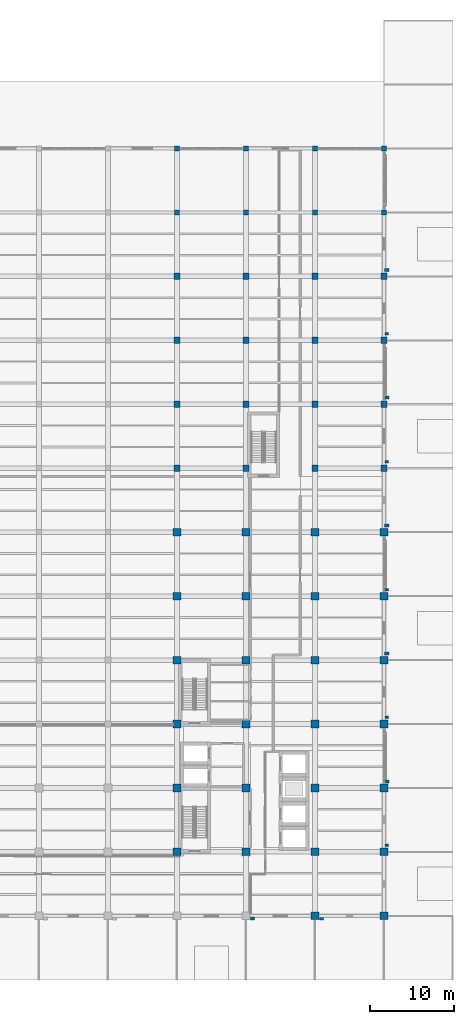
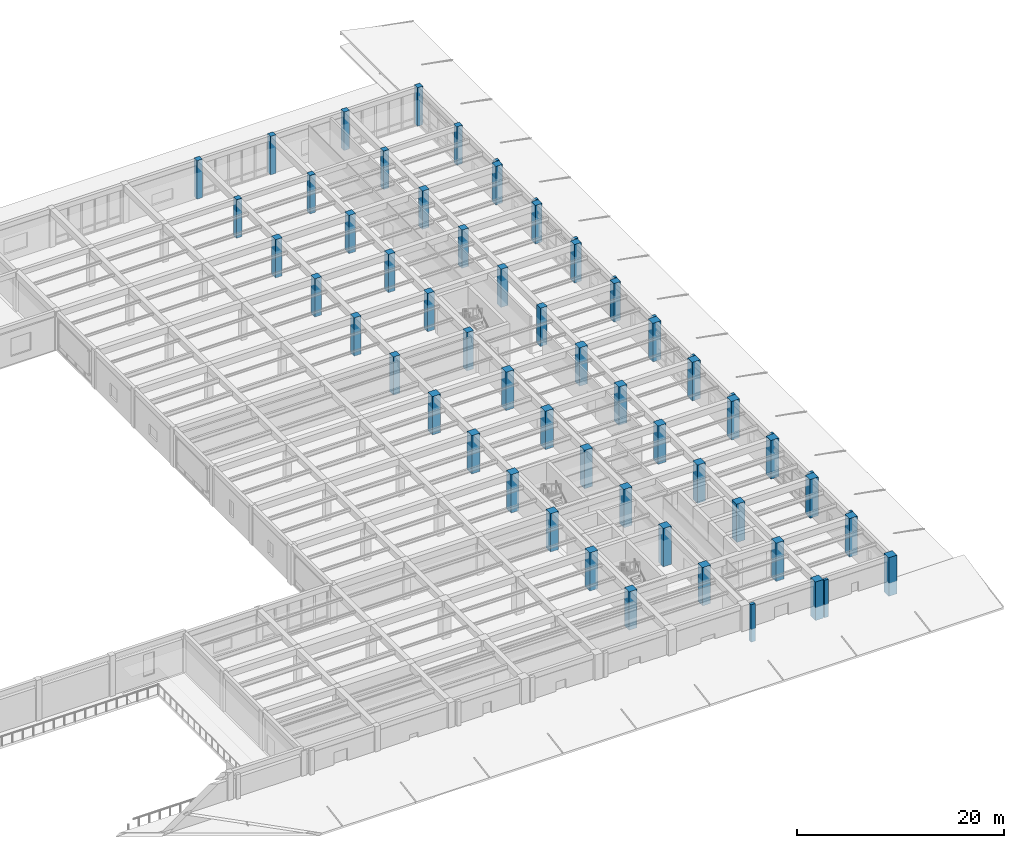
# One storey, part 3 of 57: 62 columns.
"""IFC4 building model written with IfcOpenShell, lengths in metres."""

from ifc_helpers import new_model, si_unit, direction, frame, origin, origin_2d, place, context, subcontext, project, spatial, rectangle, extrude, material, material_profile, profile_set, type_object, element, save


model = new_model("IFC4")

# Units and contexts
model_context = context("Model", 3, precision=1e-05, world=origin(), true_north=direction((0.0, 1.0)))
body_context = subcontext(model_context, "Body", "Model", "MODEL_VIEW")
ifc_project = project(units=[si_unit("LENGTHUNIT", "METRE"), si_unit("AREAUNIT", "SQUARE_METRE"), si_unit("VOLUMEUNIT", "CUBIC_METRE"), si_unit("PLANEANGLEUNIT", "RADIAN"), si_unit("MASSUNIT", "GRAM", prefix="KILO")], contexts=[model_context])

# Site, building, storey
site_placement = place(None, origin())
site = spatial("IfcSite", under=ifc_project, at=site_placement, CompositionType="ELEMENT")
building_placement = place(site_placement, origin())
building = spatial("IfcBuilding", under=site, at=building_placement, Name="Qandaris Square Conservatory and Botanical Centre", CompositionType="ELEMENT")
storey_placement = place(building_placement, frame((0.0, 0.0, 5.39990234375)))
storey = spatial("IfcBuildingStorey", under=building, at=storey_placement, Name="L01", CompositionType="ELEMENT", Elevation=5.39990234375)

# Columns
ifc_material_1 = material(Name="Concrete C50/60", Category="concrete")
ifc_material_profile_1 = material_profile(ifc_material_1, rectangle(XDim=0.449951171875, YDim=0.300048828125, at=origin_2d()), Name="RC-PIL 450x300")
ifc_profile_set_1 = profile_set([ifc_material_profile_1], Name="Concrete C50/60")
column_type_1 = type_object("IfcColumnType", Name="Engaged Prairie Pilaster 450x300", PredefinedType="PILASTER", material=ifc_profile_set_1)
for number, where, z_axis, x_axis, name in (
    (1, (156.3798828125, 16.280029296875, 0.0), (0.0, 0.0, 1.0), (1.0, 0.0, 0.0), "Prairie Pilaster 10 (L01)"),
    (2, (164.1201171875, 24.97998046875, 0.0), (0.0, 0.0, 1.0), (1.0, 0.0, 0.0), "Prairie Pilaster 11 (L01)"),
    (3, (164.1201171875, 40.179931640625, 0.0), (0.0, 0.0, 1.0), (1.0, 0.0, 0.0), "Prairie Pilaster 13 (L01)"),
    (4, (164.1201171875, 55.3798828125, 0.0), (0.0, 0.0, 1.0), (1.0, 0.0, 0.0), "Prairie Pilaster 15 (L01)"),
    (5, (164.1201171875, 70.580078125, 0.0), (0.0, 0.0, 1.0), (1.0, 0.0, 0.0), "Prairie Pilaster 17 (L01)"),
    (6, (164.1201171875, 85.780029296875, 0.0), (0.0, 0.0, 1.0), (1.0, 0.0, 0.0), "Prairie Pilaster 19 (L01)"),
):
    element("IfcColumn", number, at=place(storey_placement, frame(where, z_axis=z_axis, x_axis=x_axis)), inside=storey, type_object=column_type_1, Name=name, PredefinedType="PILASTER", context=body_context, shape_type="SweptSolid", body=[
        extrude(rectangle(XDim=0.449951171875, YDim=0.300048828125, at=origin_2d()), origin(), (0.0, 0.0, 1.0), 4.420166015625),
    ])
ifc_material_profile_2 = material_profile(ifc_material_1, rectangle(XDim=0.5, YDim=0.35009765625, at=origin_2d()), Name="RC-PIL 500x350")
ifc_profile_set_2 = profile_set([ifc_material_profile_2], Name="Concrete C50/60")
column_type_2 = type_object("IfcColumnType", Name="Engaged Prairie Pilaster 500x350", PredefinedType="PILASTER", material=ifc_profile_set_2)
for number, where, z_axis, x_axis, name in (
    (7, (148.179931640625, 16.280029296875, 0.0), (0.0, 0.0, 1.0), (1.0, 0.0, 0.0), "Prairie Pilaster 09 (L01)"),
    (8, (164.1201171875, 32.580078125, 0.0), (0.0, 0.0, 1.0), (1.0, 0.0, 0.0), "Prairie Pilaster 12 (L01)"),
    (9, (164.1201171875, 47.780029296875, 0.0), (0.0, 0.0, 1.0), (1.0, 0.0, 0.0), "Prairie Pilaster 14 (L01)"),
    (10, (164.1201171875, 62.97998046875, 0.0), (0.0, 0.0, 1.0), (1.0, 0.0, 0.0), "Prairie Pilaster 16 (L01)"),
    (11, (164.1201171875, 78.179931640625, 0.0), (0.0, 0.0, 1.0), (1.0, 0.0, 0.0), "Prairie Pilaster 18 (L01)"),
    (12, (164.1201171875, 93.3798828125, 0.0), (0.0, 0.0, 1.0), (1.0, 0.0, 0.0), "Prairie Pilaster 20 (L01)"),
):
    element("IfcColumn", number, at=place(storey_placement, frame(where, z_axis=z_axis, x_axis=x_axis)), inside=storey, type_object=column_type_2, Name=name, PredefinedType="PILASTER", context=body_context, shape_type="SweptSolid", body=[
        extrude(rectangle(XDim=0.5, YDim=0.35009765625, at=origin_2d()), origin(), (0.0, 0.0, 1.0), 4.420166015625),
    ])
ifc_material_2 = material(Name="Concrete C40/50", Category="concrete")
ifc_material_profile_3 = material_profile(ifc_material_2, rectangle(XDim=0.60009765625, YDim=0.60009765625, at=origin_2d()), Name="RC-COL 600x600")
ifc_profile_set_3 = profile_set([ifc_material_profile_3], Name="Concrete C40/50")
column_type_3 = type_object("IfcColumnType", Name="RC Column 600x600", PredefinedType="COLUMN", material=ifc_profile_set_3)
for number, where, z_axis, x_axis, name in (
    (13, (139.199951171875, 100.199951171875, 0.0), (0.0, 0.0, 1.0), (1.0, 0.0, 0.0), "Column N17 (L01)"),
    (14, (139.199951171875, 107.800048828125, 0.0), (0.0, 0.0, 1.0), (1.0, 0.0, 0.0), "Column P17 (L01)"),
    (15, (147.39990234375, 100.199951171875, 0.0), (0.0, 0.0, 1.0), (1.0, 0.0, 0.0), "Column N18 (L01)"),
    (16, (147.39990234375, 107.800048828125, 0.0), (0.0, 0.0, 1.0), (1.0, 0.0, 0.0), "Column P18 (L01)"),
    (17, (155.60009765625, 100.199951171875, 0.0), (0.0, 0.0, 1.0), (1.0, 0.0, 0.0), "Column N19 (L01)"),
    (18, (155.60009765625, 107.800048828125, 0.0), (0.0, 0.0, 1.0), (1.0, 0.0, 0.0), "Column P19 (L01)"),
    (19, (163.800048828125, 100.199951171875, 0.0), (0.0, 0.0, 1.0), (1.0, 0.0, 0.0), "Column N20 (L01)"),
    (20, (163.800048828125, 107.800048828125, 0.0), (0.0, 0.0, 1.0), (1.0, 0.0, 0.0), "Column P20 (L01)"),
):
    element("IfcColumn", number, at=place(storey_placement, frame(where, z_axis=z_axis, x_axis=x_axis)), inside=storey, type_object=column_type_3, Name=name, PredefinedType="COLUMN", context=body_context, shape_type="SweptSolid", body=[
        extrude(rectangle(XDim=0.60009765625, YDim=0.60009765625, at=origin_2d()), origin(), (0.0, 0.0, 1.0), 4.545166015625),
    ])
ifc_material_profile_4 = material_profile(ifc_material_1, rectangle(XDim=0.75, YDim=0.75, at=origin_2d()), Name="RC-COL 750x750")
ifc_profile_set_4 = profile_set([ifc_material_profile_4], Name="Concrete C50/60")
column_type_4 = type_object("IfcColumnType", Name="RC Column 750x750", PredefinedType="COLUMN", material=ifc_profile_set_4)
for number, where, z_axis, x_axis, name in (
    (21, (139.199951171875, 69.800048828125, 0.0), (0.0, 0.0, 1.0), (1.0, 0.0, 0.0), "Column J17 (L01)"),
    (22, (139.199951171875, 77.39990234375, 0.0), (0.0, 0.0, 1.0), (1.0, 0.0, 0.0), "Column K17 (L01)"),
    (23, (139.199951171875, 85.0, 0.0), (0.0, 0.0, 1.0), (1.0, 0.0, 0.0), "Column L17 (L01)"),
    (24, (139.199951171875, 92.60009765625, 0.0), (0.0, 0.0, 1.0), (1.0, 0.0, 0.0), "Column M17 (L01)"),
    (25, (147.39990234375, 69.800048828125, 0.0), (0.0, 0.0, 1.0), (1.0, 0.0, 0.0), "Column J18 (L01)"),
    (26, (147.39990234375, 77.39990234375, 0.0), (0.0, 0.0, 1.0), (1.0, 0.0, 0.0), "Column K18 (L01)"),
    (27, (147.39990234375, 85.0, 0.0), (0.0, 0.0, 1.0), (1.0, 0.0, 0.0), "Column L18 (L01)"),
    (28, (147.39990234375, 92.60009765625, 0.0), (0.0, 0.0, 1.0), (1.0, 0.0, 0.0), "Column M18 (L01)"),
    (29, (155.60009765625, 69.800048828125, 0.0), (0.0, 0.0, 1.0), (1.0, 0.0, 0.0), "Column J19 (L01)"),
    (30, (155.60009765625, 77.39990234375, 0.0), (0.0, 0.0, 1.0), (1.0, 0.0, 0.0), "Column K19 (L01)"),
    (31, (155.60009765625, 85.0, 0.0), (0.0, 0.0, 1.0), (1.0, 0.0, 0.0), "Column L19 (L01)"),
    (32, (155.60009765625, 92.60009765625, 0.0), (0.0, 0.0, 1.0), (1.0, 0.0, 0.0), "Column M19 (L01)"),
):
    element("IfcColumn", number, at=place(storey_placement, frame(where, z_axis=z_axis, x_axis=x_axis)), inside=storey, type_object=column_type_4, Name=name, PredefinedType="COLUMN", context=body_context, shape_type="SweptSolid", body=[
        extrude(rectangle(XDim=0.75, YDim=0.75, at=origin_2d()), origin(), (0.0, 0.0, 1.0), 4.52001953125),
    ])
for number, where, z_axis, x_axis, name in (
    (33, (163.800048828125, 69.800048828125, 0.0), (0.0, 0.0, 1.0), (1.0, 0.0, 0.0), "Column J20 (L01)"),
    (34, (163.800048828125, 77.39990234375, 0.0), (0.0, 0.0, 1.0), (1.0, 0.0, 0.0), "Column K20 (L01)"),
    (35, (163.800048828125, 85.0, 0.0), (0.0, 0.0, 1.0), (1.0, 0.0, 0.0), "Column L20 (L01)"),
    (36, (163.800048828125, 92.60009765625, 0.0), (0.0, 0.0, 1.0), (1.0, 0.0, 0.0), "Column M20 (L01)"),
):
    element("IfcColumn", number, at=place(storey_placement, frame(where, z_axis=z_axis, x_axis=x_axis)), inside=storey, type_object=column_type_4, Name=name, PredefinedType="COLUMN", context=body_context, shape_type="SweptSolid", body=[
        extrude(rectangle(XDim=0.75, YDim=0.75, at=origin_2d()), origin(), (0.0, 0.0, 1.0), 4.545166015625),
    ])
ifc_material_profile_5 = material_profile(ifc_material_1, rectangle(XDim=0.89990234375, YDim=0.89990234375, at=origin_2d()), Name="RC-COL 900x900")
ifc_profile_set_5 = profile_set([ifc_material_profile_5], Name="Concrete C50/60")
column_type_5 = type_object("IfcColumnType", Name="RC Column 900x900", PredefinedType="COLUMN", material=ifc_profile_set_5)
for number, where, z_axis, x_axis, name in (
    (37, (139.199951171875, 24.199951171875, 0.0), (0.0, 0.0, 1.0), (1.0, 0.0, 0.0), "Column C17 (L01)"),
    (38, (139.199951171875, 31.800048828125, 0.0), (0.0, 0.0, 1.0), (1.0, 0.0, 0.0), "Column D17 (L01)"),
    (39, (139.199951171875, 39.39990234375, 0.0), (0.0, 0.0, 1.0), (1.0, 0.0, 0.0), "Column E17 (L01)"),
    (40, (139.199951171875, 47.0, 0.0), (0.0, 0.0, 1.0), (1.0, 0.0, 0.0), "Column F17 (L01)"),
    (41, (139.199951171875, 54.60009765625, 0.0), (0.0, 0.0, 1.0), (1.0, 0.0, 0.0), "Column G17 (L01)"),
    (42, (139.199951171875, 62.199951171875, 0.0), (0.0, 0.0, 1.0), (1.0, 0.0, 0.0), "Column H17 (L01)"),
    (43, (147.39990234375, 24.199951171875, 0.0), (0.0, 0.0, 1.0), (1.0, 0.0, 0.0), "Column C18 (L01)"),
    (44, (147.39990234375, 31.800048828125, 0.0), (0.0, 0.0, 1.0), (1.0, 0.0, 0.0), "Column D18 (L01)"),
    (45, (147.39990234375, 39.39990234375, 0.0), (0.0, 0.0, 1.0), (1.0, 0.0, 0.0), "Column E18 (L01)"),
    (46, (147.39990234375, 47.0, 0.0), (0.0, 0.0, 1.0), (1.0, 0.0, 0.0), "Column F18 (L01)"),
    (47, (147.39990234375, 54.60009765625, 0.0), (0.0, 0.0, 1.0), (1.0, 0.0, 0.0), "Column G18 (L01)"),
    (48, (147.39990234375, 62.199951171875, 0.0), (0.0, 0.0, 1.0), (1.0, 0.0, 0.0), "Column H18 (L01)"),
):
    element("IfcColumn", number, at=place(storey_placement, frame(where, z_axis=z_axis, x_axis=x_axis)), inside=storey, type_object=column_type_5, Name=name, PredefinedType="COLUMN", context=body_context, shape_type="SweptSolid", body=[
        extrude(rectangle(XDim=0.89990234375, YDim=0.89990234375, at=origin_2d()), origin(), (0.0, 0.0, 1.0), 4.52001953125),
    ])
column_placement = place(storey_placement, frame((155.60009765625, 16.60009765625, 0.0), z_axis=(0.0, 0.0, 1.0), x_axis=(1.0, 0.0, 0.0)))
element("IfcColumn", 49, at=column_placement, inside=storey, type_object=column_type_5, Name="Column B19 (L01)", PredefinedType="COLUMN", context=body_context, shape_type="SweptSolid", body=[
    extrude(rectangle(XDim=0.89990234375, YDim=0.89990234375, at=origin_2d()), origin(), (0.0, 0.0, 1.0), 4.545166015625),
])
for number, where, z_axis, x_axis, name in (
    (50, (155.60009765625, 24.199951171875, 0.0), (0.0, 0.0, 1.0), (1.0, 0.0, 0.0), "Column C19 (L01)"),
    (51, (155.60009765625, 31.800048828125, 0.0), (0.0, 0.0, 1.0), (1.0, 0.0, 0.0), "Column D19 (L01)"),
    (52, (155.60009765625, 39.39990234375, 0.0), (0.0, 0.0, 1.0), (1.0, 0.0, 0.0), "Column E19 (L01)"),
    (53, (155.60009765625, 47.0, 0.0), (0.0, 0.0, 1.0), (1.0, 0.0, 0.0), "Column F19 (L01)"),
    (54, (155.60009765625, 54.60009765625, 0.0), (0.0, 0.0, 1.0), (1.0, 0.0, 0.0), "Column G19 (L01)"),
    (55, (155.60009765625, 62.199951171875, 0.0), (0.0, 0.0, 1.0), (1.0, 0.0, 0.0), "Column H19 (L01)"),
):
    element("IfcColumn", number, at=place(storey_placement, frame(where, z_axis=z_axis, x_axis=x_axis)), inside=storey, type_object=column_type_5, Name=name, PredefinedType="COLUMN", context=body_context, shape_type="SweptSolid", body=[
        extrude(rectangle(XDim=0.89990234375, YDim=0.89990234375, at=origin_2d()), origin(), (0.0, 0.0, 1.0), 4.52001953125),
    ])
for number, where, z_axis, x_axis, name in (
    (56, (163.800048828125, 16.60009765625, 0.0), (0.0, 0.0, 1.0), (1.0, 0.0, 0.0), "Column B20 (L01)"),
    (57, (163.800048828125, 24.199951171875, 0.0), (0.0, 0.0, 1.0), (1.0, 0.0, 0.0), "Column C20 (L01)"),
    (58, (163.800048828125, 31.800048828125, 0.0), (0.0, 0.0, 1.0), (1.0, 0.0, 0.0), "Column D20 (L01)"),
    (59, (163.800048828125, 39.39990234375, 0.0), (0.0, 0.0, 1.0), (1.0, 0.0, 0.0), "Column E20 (L01)"),
    (60, (163.800048828125, 47.0, 0.0), (0.0, 0.0, 1.0), (1.0, 0.0, 0.0), "Column F20 (L01)"),
    (61, (163.800048828125, 54.60009765625, 0.0), (0.0, 0.0, 1.0), (1.0, 0.0, 0.0), "Column G20 (L01)"),
    (62, (163.800048828125, 62.199951171875, 0.0), (0.0, 0.0, 1.0), (1.0, 0.0, 0.0), "Column H20 (L01)"),
):
    element("IfcColumn", number, at=place(storey_placement, frame(where, z_axis=z_axis, x_axis=x_axis)), inside=storey, type_object=column_type_5, Name=name, PredefinedType="COLUMN", context=body_context, shape_type="SweptSolid", body=[
        extrude(rectangle(XDim=0.89990234375, YDim=0.89990234375, at=origin_2d()), origin(), (0.0, 0.0, 1.0), 4.545166015625),
    ])

save(model, "model.ifc")
